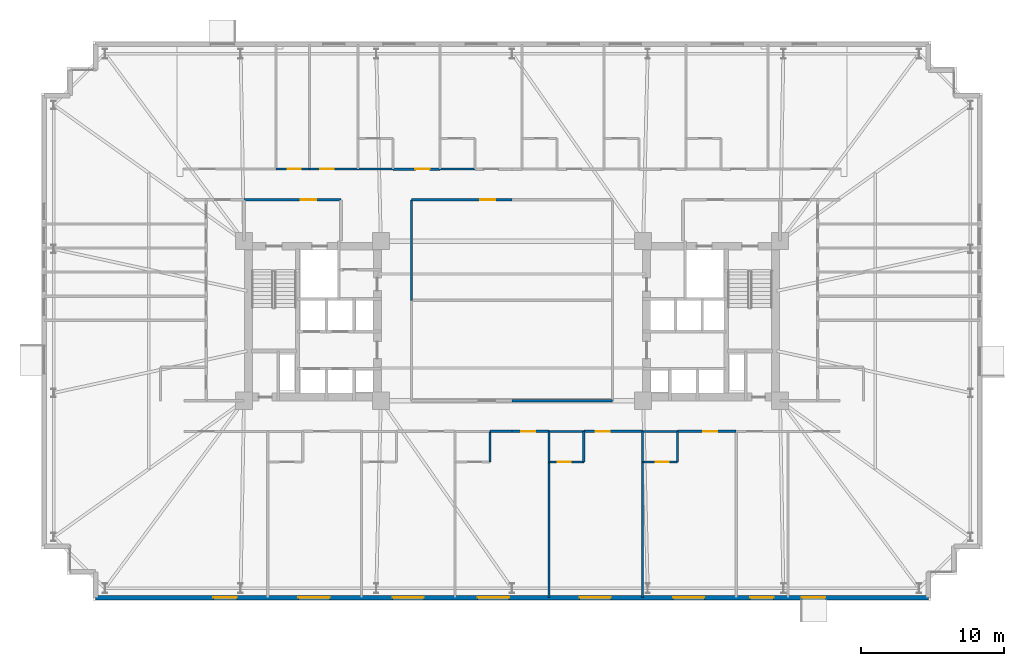
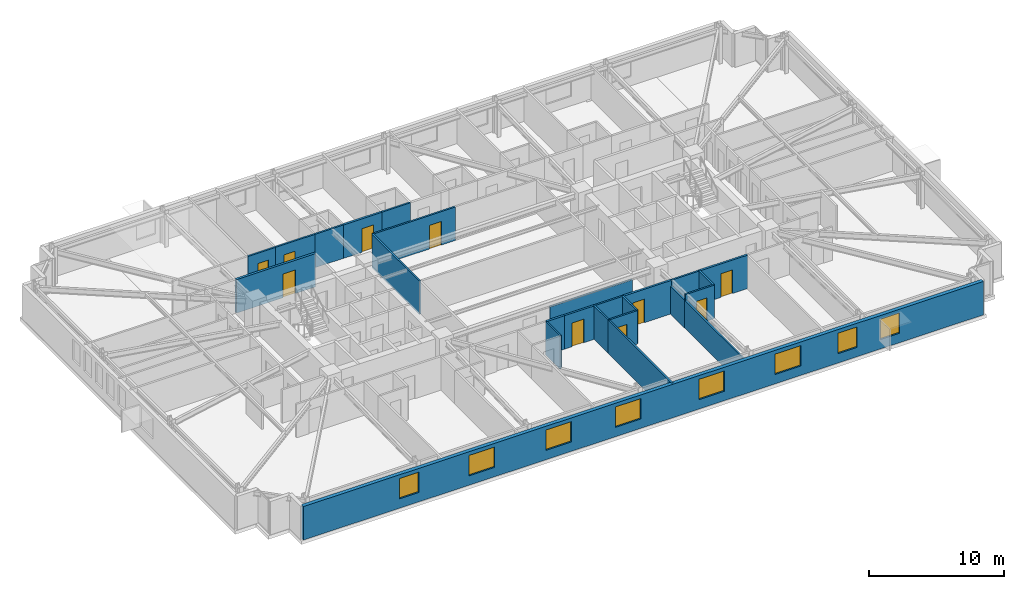
# One storey, part 16 of 22: 25 walls, 10 doors, 8 windows, 18 openings.
"""IFC4 building model written with IfcOpenShell, lengths in metres."""

from ifc_helpers import new_model, si_unit, direction, frame, frame_2d, origin, place, context, subcontext, project, spatial, rectangle, extrude, material, layer, layer_set, type_object, element, fill, save


model = new_model("IFC4")

# Units and contexts
model_context = context("Model", 3, precision=1e-05, world=origin(), true_north=direction((0.0, 1.0)))
body_context = subcontext(model_context, "Body", "Model", "MODEL_VIEW")
ifc_project = project(units=[si_unit("LENGTHUNIT", "METRE"), si_unit("AREAUNIT", "SQUARE_METRE"), si_unit("VOLUMEUNIT", "CUBIC_METRE"), si_unit("PLANEANGLEUNIT", "RADIAN"), si_unit("MASSUNIT", "GRAM", prefix="KILO")], contexts=[model_context])

# Site, building, storey
site_placement = place(None, origin())
site = spatial("IfcSite", under=ifc_project, at=site_placement, CompositionType="ELEMENT")
building_placement = place(site_placement, origin())
building = spatial("IfcBuilding", under=site, at=building_placement, Name="Qobustan Lattice House", CompositionType="ELEMENT")
storey_placement = place(building_placement, frame((0.0, 0.0, 60.5)))
storey = spatial("IfcBuildingStorey", under=building, at=storey_placement, Name="L16", CompositionType="ELEMENT", Elevation=60.5)

# Wall, openings, windows
ifc_material_1 = material(Name="Precast concrete C40/50", Category="concrete")
ifc_layer_1 = layer(ifc_material_1, 0.320068359375)
ifc_layer_set_1 = layer_set([ifc_layer_1], Name="Precast concrete C40/50")
wall_type_1 = type_object("IfcWallType", Name="WAL-EXT-STONE-320", PredefinedType="SOLIDWALL", material=ifc_layer_set_1)
wall_1_placement = place(storey_placement, frame((29.199951171875, -19.39990234375, 0.0), z_axis=(0.0, 0.0, 1.0), x_axis=(-1.0, 0.0, 0.0)))
wall_1 = element("IfcWall", 1, at=wall_1_placement, inside=storey, type_object=wall_type_1, Name="L16 exterior limestone-clad wall 20", PredefinedType="SOLIDWALL", context=body_context, shape_type="SweptSolid", body=[
    extrude(rectangle(XDim=58.39990234375, YDim=0.320068359375, at=frame_2d((29.199951171875, 0.0))), origin(), (0.0, 0.0, 1.0), 3.034912109375),
])
opening_1_placement = place(wall_1_placement, frame((7.215087890625, 0.0, 0.85009765625)))
opening_1 = element("IfcOpeningElement", 2, at=opening_1_placement, cuts=wall_1, Name="Opening WN-09", PredefinedType="OPENING", context=body_context, shape_type="SweptSolid", body=[
    extrude(rectangle(XDim=1.64990234375, YDim=1.85009765625, at=frame_2d((0.824951171875, 0.925048828125))), frame((0.0, 0.169921875, 0.0), z_axis=(0.0, -1.0, 0.0), x_axis=(1.0, 0.0, 0.0)), (0.0, 0.0, 1.0), 0.340087890625),
])
opening_2_placement = place(wall_1_placement, frame((10.85498046875, 0.0, 0.85009765625)))
opening_2 = element("IfcOpeningElement", 3, at=opening_2_placement, cuts=wall_1, Name="Opening WN-09", PredefinedType="OPENING", context=body_context, shape_type="SweptSolid", body=[
    extrude(rectangle(XDim=1.64990234375, YDim=1.85009765625, at=frame_2d((0.824951171875, 0.925048828125))), frame((0.0, 0.169921875, 0.0), z_axis=(0.0, -1.0, 0.0), x_axis=(1.0, 0.0, 0.0)), (0.0, 0.0, 1.0), 0.340087890625),
])
opening_3_placement = place(wall_1_placement, frame((15.699951171875, 0.0, 0.85009765625)))
opening_3 = element("IfcOpeningElement", 4, at=opening_3_placement, cuts=wall_1, Name="Opening WN-03", PredefinedType="OPENING", context=body_context, shape_type="SweptSolid", body=[
    extrude(rectangle(XDim=2.199951171875, YDim=1.85009765625, at=frame_2d((1.10009765625, 0.925048828125))), frame((0.0, 0.169921875, 0.0), z_axis=(0.0, -1.0, 0.0), x_axis=(1.0, 0.0, 0.0)), (0.0, 0.0, 1.0), 0.340087890625),
])
opening_4_placement = place(wall_1_placement, frame((22.260009765625, 0.0, 0.85009765625)))
opening_4 = element("IfcOpeningElement", 5, at=opening_4_placement, cuts=wall_1, Name="Opening WN-03", PredefinedType="OPENING", context=body_context, shape_type="SweptSolid", body=[
    extrude(rectangle(XDim=2.199951171875, YDim=1.85009765625, at=frame_2d((1.10009765625, 0.925048828125))), frame((0.0, 0.169921875, 0.0), z_axis=(0.0, -1.0, 0.0), x_axis=(1.0, 0.0, 0.0)), (0.0, 0.0, 1.0), 0.340087890625),
])
opening_5_placement = place(wall_1_placement, frame((29.407958984375, 0.0, 0.85009765625)))
opening_5 = element("IfcOpeningElement", 6, at=opening_5_placement, cuts=wall_1, Name="Opening WN-03", PredefinedType="OPENING", context=body_context, shape_type="SweptSolid", body=[
    extrude(rectangle(XDim=2.199951171875, YDim=1.85009765625, at=frame_2d((1.10009765625, 0.925048828125))), frame((0.0, 0.169921875, 0.0), z_axis=(0.0, -1.0, 0.0), x_axis=(1.0, 0.0, 0.0)), (0.0, 0.0, 1.0), 0.340087890625),
])
opening_6_placement = place(wall_1_placement, frame((35.3798828125, 0.0, 0.85009765625)))
opening_6 = element("IfcOpeningElement", 7, at=opening_6_placement, cuts=wall_1, Name="Opening WN-03", PredefinedType="OPENING", context=body_context, shape_type="SweptSolid", body=[
    extrude(rectangle(XDim=2.199951171875, YDim=1.85009765625, at=frame_2d((1.10009765625, 0.925048828125))), frame((0.0, 0.169921875, 0.0), z_axis=(0.0, -1.0, 0.0), x_axis=(1.0, 0.0, 0.0)), (0.0, 0.0, 1.0), 0.340087890625),
])
opening_7_placement = place(wall_1_placement, frame((41.97998046875, 0.0, 0.85009765625)))
opening_7 = element("IfcOpeningElement", 8, at=opening_7_placement, cuts=wall_1, Name="Opening WN-03", PredefinedType="OPENING", context=body_context, shape_type="SweptSolid", body=[
    extrude(rectangle(XDim=2.199951171875, YDim=1.85009765625, at=frame_2d((1.10009765625, 0.925048828125))), frame((0.0, 0.169921875, 0.0), z_axis=(0.0, -1.0, 0.0), x_axis=(1.0, 0.0, 0.0)), (0.0, 0.0, 1.0), 0.340087890625),
])
opening_8_placement = place(wall_1_placement, frame((48.4951171875, 0.0, 0.85009765625)))
opening_8 = element("IfcOpeningElement", 9, at=opening_8_placement, cuts=wall_1, Name="Opening WN-09", PredefinedType="OPENING", context=body_context, shape_type="SweptSolid", body=[
    extrude(rectangle(XDim=1.64990234375, YDim=1.85009765625, at=frame_2d((0.824951171875, 0.925048828125))), frame((0.0, 0.169921875, 0.0), z_axis=(0.0, -1.0, 0.0), x_axis=(1.0, 0.0, 0.0)), (0.0, 0.0, 1.0), 0.340087890625),
])
ifc_material_2 = material(Name="Double-glazed low-E aluminium window", Category="aluminium")
window_type_1 = type_object("IfcWindowType", Name="WIN-STU-1650x1850", PartitioningType="SINGLE_PANEL", PredefinedType="WINDOW", material=ifc_material_2)
window_1_placement = place(opening_1_placement, origin())
window_1 = element("IfcWindow", 10, at=window_1_placement, inside=storey, type_object=window_type_1, Name="L16 Academic seminar room window", OverallHeight=1.85009765625, OverallWidth=1.64990234375, PartitioningType="SINGLE_PANEL", PredefinedType="WINDOW", context=body_context, shape_type="SweptSolid", body=[
    extrude(rectangle(XDim=1.64990234375, YDim=1.85009765625, at=frame_2d((0.824951171875, 0.925048828125))), frame((0.0, 0.030029296875, 0.0), z_axis=(0.0, -1.0, 0.0), x_axis=(1.0, 0.0, 0.0)), (0.0, 0.0, 1.0), 0.06005859375),
])
fill(opening_1, window_1)
window_2_placement = place(opening_2_placement, origin())
window_2 = element("IfcWindow", 11, at=window_2_placement, inside=storey, type_object=window_type_1, Name="L16 Group study room window", OverallHeight=1.85009765625, OverallWidth=1.64990234375, PartitioningType="SINGLE_PANEL", PredefinedType="WINDOW", context=body_context, shape_type="SweptSolid", body=[
    extrude(rectangle(XDim=1.64990234375, YDim=1.85009765625, at=frame_2d((0.824951171875, 0.925048828125))), frame((0.0, 0.030029296875, 0.0), z_axis=(0.0, -1.0, 0.0), x_axis=(1.0, 0.0, 0.0)), (0.0, 0.0, 1.0), 0.06005859375),
])
fill(opening_2, window_2)
window_3_placement = place(opening_8_placement, origin())
window_3 = element("IfcWindow", 12, at=window_3_placement, inside=storey, type_object=window_type_1, Name="L16 Focus study room S1 window", OverallHeight=1.85009765625, OverallWidth=1.64990234375, PartitioningType="SINGLE_PANEL", PredefinedType="WINDOW", context=body_context, shape_type="SweptSolid", body=[
    extrude(rectangle(XDim=1.64990234375, YDim=1.85009765625, at=frame_2d((0.824951171875, 0.925048828125))), frame((0.0, 0.030029296875, 0.0), z_axis=(0.0, -1.0, 0.0), x_axis=(1.0, 0.0, 0.0)), (0.0, 0.0, 1.0), 0.06005859375),
])
fill(opening_8, window_3)
ifc_material_3 = material(Name="Double-glazed low-E aluminium window", Category="aluminium")
window_type_2 = type_object("IfcWindowType", Name="WIN-WIDE-2200x1850", PartitioningType="SINGLE_PANEL", PredefinedType="WINDOW", material=ifc_material_3)
window_4_placement = place(opening_3_placement, origin())
window_4 = element("IfcWindow", 13, at=window_4_placement, inside=storey, type_object=window_type_2, Name="L16 Kitchenette and studio apartment L16-S6 window", OverallHeight=1.85009765625, OverallWidth=2.199951171875, PartitioningType="SINGLE_PANEL", PredefinedType="WINDOW", context=body_context, shape_type="SweptSolid", body=[
    extrude(rectangle(XDim=2.199951171875, YDim=1.85009765625, at=frame_2d((1.10009765625, 0.925048828125))), frame((0.0, 0.030029296875, 0.0), z_axis=(0.0, -1.0, 0.0), x_axis=(1.0, 0.0, 0.0)), (0.0, 0.0, 1.0), 0.06005859375),
])
fill(opening_3, window_4)
window_5_placement = place(opening_4_placement, origin())
window_5 = element("IfcWindow", 14, at=window_5_placement, inside=storey, type_object=window_type_2, Name="L16 Kitchenette and studio apartment L16-S5 window", OverallHeight=1.85009765625, OverallWidth=2.199951171875, PartitioningType="SINGLE_PANEL", PredefinedType="WINDOW", context=body_context, shape_type="SweptSolid", body=[
    extrude(rectangle(XDim=2.199951171875, YDim=1.85009765625, at=frame_2d((1.10009765625, 0.925048828125))), frame((0.0, 0.030029296875, 0.0), z_axis=(0.0, -1.0, 0.0), x_axis=(1.0, 0.0, 0.0)), (0.0, 0.0, 1.0), 0.06005859375),
])
fill(opening_4, window_5)
window_6_placement = place(opening_5_placement, origin())
window_6 = element("IfcWindow", 15, at=window_6_placement, inside=storey, type_object=window_type_2, Name="L16 Kitchenette and studio apartment L16-S4 window", OverallHeight=1.85009765625, OverallWidth=2.199951171875, PartitioningType="SINGLE_PANEL", PredefinedType="WINDOW", context=body_context, shape_type="SweptSolid", body=[
    extrude(rectangle(XDim=2.199951171875, YDim=1.85009765625, at=frame_2d((1.10009765625, 0.925048828125))), frame((0.0, 0.030029296875, 0.0), z_axis=(0.0, -1.0, 0.0), x_axis=(1.0, 0.0, 0.0)), (0.0, 0.0, 1.0), 0.06005859375),
])
fill(opening_5, window_6)
window_7_placement = place(opening_6_placement, origin())
window_7 = element("IfcWindow", 16, at=window_7_placement, inside=storey, type_object=window_type_2, Name="L16 Kitchenette and studio apartment L16-S3 window", OverallHeight=1.85009765625, OverallWidth=2.199951171875, PartitioningType="SINGLE_PANEL", PredefinedType="WINDOW", context=body_context, shape_type="SweptSolid", body=[
    extrude(rectangle(XDim=2.199951171875, YDim=1.85009765625, at=frame_2d((1.10009765625, 0.925048828125))), frame((0.0, 0.030029296875, 0.0), z_axis=(0.0, -1.0, 0.0), x_axis=(1.0, 0.0, 0.0)), (0.0, 0.0, 1.0), 0.06005859375),
])
fill(opening_6, window_7)
window_8_placement = place(opening_7_placement, origin())
window_8 = element("IfcWindow", 17, at=window_8_placement, inside=storey, type_object=window_type_2, Name="L16 Kitchenette and studio apartment L16-S2 window", OverallHeight=1.85009765625, OverallWidth=2.199951171875, PartitioningType="SINGLE_PANEL", PredefinedType="WINDOW", context=body_context, shape_type="SweptSolid", body=[
    extrude(rectangle(XDim=2.199951171875, YDim=1.85009765625, at=frame_2d((1.10009765625, 0.925048828125))), frame((0.0, 0.030029296875, 0.0), z_axis=(0.0, -1.0, 0.0), x_axis=(1.0, 0.0, 0.0)), (0.0, 0.0, 1.0), 0.06005859375),
])
fill(opening_7, window_8)

# Wall, opening, door
ifc_material_4 = material(Name="Gypsum fireboard acoustic partition", Category="gypsum")
ifc_layer_2 = layer(ifc_material_4, 0.179931640625)
ifc_layer_set_2 = layer_set([ifc_layer_2], Name="Gypsum fireboard acoustic partition")
wall_type_2 = type_object("IfcWallType", Name="WAL-FIRE-180", PredefinedType="PARTITIONING", material=ifc_layer_set_2)
wall_2_placement = place(storey_placement, frame((-8.35009765625, 10.64990234375, 0.0), z_axis=(0.0, 0.0, 1.0), x_axis=(1.0, 0.0, 0.0)))
wall_2 = element("IfcWall", 18, at=wall_2_placement, inside=storey, type_object=wall_type_2, Name="L16 interior partition 42", PredefinedType="PARTITIONING", context=body_context, shape_type="SweptSolid", body=[
    extrude(rectangle(XDim=3.300048828125, YDim=0.179931640625, at=frame_2d((1.64990234375, 0.0))), origin(), (0.0, 0.0, 1.0), 3.034912109375),
])
opening_9_placement = place(wall_2_placement, frame((1.577392578125, 0.0, 0.0)))
opening_9 = element("IfcOpeningElement", 19, at=opening_9_placement, cuts=wall_2, Name="Opening FD-02", PredefinedType="OPENING", context=body_context, shape_type="SweptSolid", body=[
    extrude(rectangle(XDim=1.0, YDim=2.14990234375, at=frame_2d((0.5, 1.074951171875))), frame((0.0, 0.099853515625, 0.0), z_axis=(0.0, -1.0, 0.0), x_axis=(1.0, 0.0, 0.0)), (0.0, 0.0, 1.0), 0.199951171875),
])
ifc_material_5 = material(Name="Persian walnut timber and steel frame door", Category="steel")
door_type_1 = type_object("IfcDoorType", Name="DOR-UNIT-FD-1000x2150", OperationType="NOTDEFINED", PredefinedType="DOOR", material=ifc_material_5)
door_1_placement = place(opening_9_placement, origin())
door_1 = element("IfcDoor", 20, at=door_1_placement, inside=storey, type_object=door_type_1, Name="L16 North-west floor corridor to Kitchenette and studio apartment L16-N3 door", OperationType="SINGLE_SWING_LEFT", OverallHeight=2.14990234375, OverallWidth=1.0, PredefinedType="DOOR", context=body_context, shape_type="SweptSolid", body=[
    extrude(rectangle(XDim=1.0, YDim=2.14990234375, at=frame_2d((0.5, 1.074951171875))), frame((0.0, 0.02490234375, 0.0), z_axis=(0.0, -1.0, 0.0), x_axis=(1.0, 0.0, 0.0)), (0.0, 0.0, 1.0), 0.050048828125),
])
fill(opening_9, door_1)

# Wall
wall_3_placement = place(storey_placement, frame((0.0, -7.75, 0.0), z_axis=(0.0, 0.0, 1.0), x_axis=(-1.0, 0.0, 0.0)))
element("IfcWall", 21, at=wall_3_placement, inside=storey, type_object=wall_type_2, Name="L16 interior partition 65", PredefinedType="PARTITIONING", context=body_context, shape_type="SweptSolid", body=[
    extrude(rectangle(XDim=1.535888671875, YDim=0.179931640625, at=frame_2d((0.76806640625, 0.0))), origin(), (0.0, 0.0, 1.0), 3.034912109375),
])

# Wall, opening, door
wall_4_placement = place(storey_placement, frame((2.5859375, -7.75, 0.0), z_axis=(0.0, 0.0, 1.0), x_axis=(-1.0, 0.0, 0.0)))
wall_4 = element("IfcWall", 22, at=wall_4_placement, inside=storey, type_object=wall_type_2, Name="L16 interior partition 70", PredefinedType="PARTITIONING", context=body_context, shape_type="SweptSolid", body=[
    extrude(rectangle(XDim=2.5859375, YDim=0.179931640625, at=frame_2d((1.29296875, 0.0))), origin(), (0.0, 0.0, 1.0), 3.034912109375),
])
opening_10_placement = place(wall_4_placement, frame((0.95263671875, 0.0, 0.0)))
opening_10 = element("IfcOpeningElement", 23, at=opening_10_placement, cuts=wall_4, Name="Opening FD-02", PredefinedType="OPENING", context=body_context, shape_type="SweptSolid", body=[
    extrude(rectangle(XDim=1.0, YDim=2.14990234375, at=frame_2d((0.5, 1.074951171875))), frame((0.0, 0.099853515625, 0.0), z_axis=(0.0, -1.0, 0.0), x_axis=(1.0, 0.0, 0.0)), (0.0, 0.0, 1.0), 0.199951171875),
])
door_2_placement = place(opening_10_placement, origin())
door_2 = element("IfcDoor", 24, at=door_2_placement, inside=storey, type_object=door_type_1, Name="L16 South-east floor corridor to Kitchenette and studio apartment L16-S4 door", OperationType="SINGLE_SWING_LEFT", OverallHeight=2.14990234375, OverallWidth=1.0, PredefinedType="DOOR", context=body_context, shape_type="SweptSolid", body=[
    extrude(rectangle(XDim=1.0, YDim=2.14990234375, at=frame_2d((0.5, 1.074951171875))), frame((0.0, 0.02490234375, 0.0), z_axis=(0.0, -1.0, 0.0), x_axis=(1.0, 0.0, 0.0)), (0.0, 0.0, 1.0), 0.050048828125),
])
fill(opening_10, door_2)

wall_5_placement = place(storey_placement, frame((9.156982421875, -7.75, 0.0), z_axis=(0.0, 0.0, 1.0), x_axis=(-1.0, 0.0, 0.0)))
wall_5 = element("IfcWall", 25, at=wall_5_placement, inside=storey, type_object=wall_type_2, Name="L16 interior partition 71", PredefinedType="PARTITIONING", context=body_context, shape_type="SweptSolid", body=[
    extrude(rectangle(XDim=4.12109375, YDim=0.179931640625, at=frame_2d((2.060546875, 0.0))), origin(), (0.0, 0.0, 1.0), 3.034912109375),
])
opening_11_placement = place(wall_5_placement, frame((2.2958984375, 0.0, 0.0)))
opening_11 = element("IfcOpeningElement", 26, at=opening_11_placement, cuts=wall_5, Name="Opening FD-02", PredefinedType="OPENING", context=body_context, shape_type="SweptSolid", body=[
    extrude(rectangle(XDim=1.0, YDim=2.14990234375, at=frame_2d((0.5, 1.074951171875))), frame((0.0, 0.099853515625, 0.0), z_axis=(0.0, -1.0, 0.0), x_axis=(1.0, 0.0, 0.0)), (0.0, 0.0, 1.0), 0.199951171875),
])
door_3_placement = place(opening_11_placement, origin())
door_3 = element("IfcDoor", 27, at=door_3_placement, inside=storey, type_object=door_type_1, Name="L16 South-east floor corridor to Kitchenette and studio apartment L16-S5 door", OperationType="SINGLE_SWING_RIGHT", OverallHeight=2.14990234375, OverallWidth=1.0, PredefinedType="DOOR", context=body_context, shape_type="SweptSolid", body=[
    extrude(rectangle(XDim=1.0, YDim=2.14990234375, at=frame_2d((0.5, 1.074951171875))), frame((0.0, 0.02490234375, 0.0), z_axis=(0.0, -1.0, 0.0), x_axis=(1.0, 0.0, 0.0)), (0.0, 0.0, 1.0), 0.050048828125),
])
fill(opening_11, door_3)

wall_6_placement = place(storey_placement, frame((15.72900390625, -7.75, 0.0), z_axis=(0.0, 0.0, 1.0), x_axis=(-1.0, 0.0, 0.0)))
wall_6 = element("IfcWall", 28, at=wall_6_placement, inside=storey, type_object=wall_type_2, Name="L16 interior partition 73", PredefinedType="PARTITIONING", context=body_context, shape_type="SweptSolid", body=[
    extrude(rectangle(XDim=4.1220703125, YDim=0.179931640625, at=frame_2d((2.06103515625, 0.0))), origin(), (0.0, 0.0, 1.0), 3.034912109375),
])
opening_12_placement = place(wall_6_placement, frame((1.315673828125, 0.0, 0.0)))
opening_12 = element("IfcOpeningElement", 29, at=opening_12_placement, cuts=wall_6, Name="Opening FD-02", PredefinedType="OPENING", context=body_context, shape_type="SweptSolid", body=[
    extrude(rectangle(XDim=1.0, YDim=2.14990234375, at=frame_2d((0.5, 1.074951171875))), frame((0.0, 0.099853515625, 0.0), z_axis=(0.0, -1.0, 0.0), x_axis=(1.0, 0.0, 0.0)), (0.0, 0.0, 1.0), 0.199951171875),
])
door_4_placement = place(opening_12_placement, origin())
door_4 = element("IfcDoor", 30, at=door_4_placement, inside=storey, type_object=door_type_1, Name="L16 South-east floor corridor to Kitchenette and studio apartment L16-S6 door", OperationType="SINGLE_SWING_LEFT", OverallHeight=2.14990234375, OverallWidth=1.0, PredefinedType="DOOR", context=body_context, shape_type="SweptSolid", body=[
    extrude(rectangle(XDim=1.0, YDim=2.14990234375, at=frame_2d((0.5, 1.074951171875))), frame((0.0, 0.02490234375, 0.0), z_axis=(0.0, -1.0, 0.0), x_axis=(1.0, 0.0, 0.0)), (0.0, 0.0, 1.0), 0.050048828125),
])
fill(opening_12, door_4)

ifc_material_6 = material(Name="Acoustic twin-stud gypsum partition", Category="gypsum")
ifc_layer_3 = layer(ifc_material_6, 0.14990234375)
ifc_layer_set_3 = layer_set([ifc_layer_3], Name="Acoustic twin-stud gypsum partition")
wall_type_3 = type_object("IfcWallType", Name="WAL-PART-150", PredefinedType="PARTITIONING", material=ifc_layer_set_3)
wall_7_placement = place(storey_placement, frame((-14.199951171875, 10.64990234375, 0.0), z_axis=(0.0, 0.0, 1.0), x_axis=(1.0, 0.0, 0.0)))
wall_7 = element("IfcWall", 31, at=wall_7_placement, inside=storey, type_object=wall_type_3, Name="L16 interior partition 41", PredefinedType="PARTITIONING", context=body_context, shape_type="SweptSolid", body=[
    extrude(rectangle(XDim=3.39990234375, YDim=0.14990234375, at=frame_2d((1.699951171875, 0.0))), origin(), (0.0, 0.0, 1.0), 3.034912109375),
])
opening_13_placement = place(wall_7_placement, frame((0.7412109375, 0.0, 0.0)))
opening_13 = element("IfcOpeningElement", 32, at=opening_13_placement, cuts=wall_7, Name="Opening ID-01", PredefinedType="OPENING", context=body_context, shape_type="SweptSolid", body=[
    extrude(rectangle(XDim=0.949951171875, YDim=2.10009765625, at=frame_2d((0.47509765625, 1.050048828125))), frame((0.0, 0.0849609375, 0.0), z_axis=(0.0, -1.0, 0.0), x_axis=(1.0, 0.0, 0.0)), (0.0, 0.0, 1.0), 0.169921875),
])
ifc_material_7 = material(Name="Persian walnut timber and steel frame door", Category="steel")
door_type_2 = type_object("IfcDoorType", Name="DOR-ROOM-950x2100", OperationType="NOTDEFINED", PredefinedType="DOOR", material=ifc_material_7)
door_5_placement = place(opening_13_placement, origin())
door_5 = element("IfcDoor", 33, at=door_5_placement, inside=storey, type_object=door_type_2, Name="L16 North-west floor corridor to Laundry utility room door", OperationType="SINGLE_SWING_RIGHT", OverallHeight=2.10009765625, OverallWidth=0.949951171875, PredefinedType="DOOR", context=body_context, shape_type="SweptSolid", body=[
    extrude(rectangle(XDim=0.949951171875, YDim=2.10009765625, at=frame_2d((0.47509765625, 1.050048828125))), frame((0.0, 0.02490234375, 0.0), z_axis=(0.0, -1.0, 0.0), x_axis=(1.0, 0.0, 0.0)), (0.0, 0.0, 1.0), 0.050048828125),
])
fill(opening_13, door_5)

wall_8_placement = place(storey_placement, frame((0.0, 8.5, 0.0), z_axis=(0.0, 0.0, 1.0), x_axis=(-1.0, 0.0, 0.0)))
wall_8 = element("IfcWall", 34, at=wall_8_placement, inside=storey, type_object=wall_type_3, Name="L16 interior partition 46", PredefinedType="PARTITIONING", context=body_context, shape_type="SweptSolid", body=[
    extrude(rectangle(XDim=7.050048828125, YDim=0.14990234375, at=frame_2d((3.52490234375, 0.0))), origin(), (0.0, 0.0, 1.0), 3.034912109375),
])
opening_14_placement = place(wall_8_placement, frame((1.18505859375, 0.0, 0.0)))
opening_14 = element("IfcOpeningElement", 35, at=opening_14_placement, cuts=wall_8, Name="Opening ID-02", PredefinedType="OPENING", context=body_context, shape_type="SweptSolid", body=[
    extrude(rectangle(XDim=1.050048828125, YDim=2.14990234375, at=frame_2d((0.52490234375, 1.074951171875))), frame((0.0, 0.0849609375, 0.0), z_axis=(0.0, -1.0, 0.0), x_axis=(1.0, 0.0, 0.0)), (0.0, 0.0, 1.0), 0.169921875),
])
ifc_material_8 = material(Name="Persian walnut timber and steel frame door", Category="steel")
door_type_3 = type_object("IfcDoorType", Name="DOR-STUDY-1050x2150", OperationType="NOTDEFINED", PredefinedType="DOOR", material=ifc_material_8)
door_6_placement = place(opening_14_placement, origin())
door_6 = element("IfcDoor", 36, at=door_6_placement, inside=storey, type_object=door_type_3, Name="L16 North-west floor corridor to Central collaborative study room door", OperationType="SINGLE_SWING_LEFT", OverallHeight=2.14990234375, OverallWidth=1.050048828125, PredefinedType="DOOR", context=body_context, shape_type="SweptSolid", body=[
    extrude(rectangle(XDim=1.050048828125, YDim=2.14990234375, at=frame_2d((0.52490234375, 1.074951171875))), frame((0.0, 0.02490234375, 0.0), z_axis=(0.0, -1.0, 0.0), x_axis=(1.0, 0.0, 0.0)), (0.0, 0.0, 1.0), 0.050048828125),
])
fill(opening_14, door_6)

# Walls
wall_9_placement = place(storey_placement, frame((-7.050048828125, 8.5, 0.0), z_axis=(0.0, 0.0, 1.0), x_axis=(0.0, -1.0, 0.0)))
element("IfcWall", 37, at=wall_9_placement, inside=storey, type_object=wall_type_3, Name="L16 interior partition 79", PredefinedType="PARTITIONING", context=body_context, shape_type="SweptSolid", body=[
    extrude(rectangle(XDim=7.050048828125, YDim=0.14990234375, at=frame_2d((3.52490234375, 0.0))), origin(), (0.0, 0.0, 1.0), 3.034912109375),
])
wall_10_placement = place(storey_placement, frame((2.5859375, -9.89990234375, 0.0), z_axis=(0.0, 0.0, 1.0), x_axis=(0.0, -1.0, 0.0)))
element("IfcWall", 38, at=wall_10_placement, inside=storey, type_object=wall_type_3, Name="L16 interior partition 145", PredefinedType="PARTITIONING", context=body_context, shape_type="SweptSolid", body=[
    extrude(rectangle(XDim=9.5, YDim=0.14990234375, at=frame_2d((4.75, 0.0))), origin(), (0.0, 0.0, 1.0), 3.034912109375),
])
wall_11_placement = place(storey_placement, frame((9.156982421875, -9.89990234375, 0.0), z_axis=(0.0, 0.0, 1.0), x_axis=(0.0, -1.0, 0.0)))
element("IfcWall", 39, at=wall_11_placement, inside=storey, type_object=wall_type_3, Name="L16 interior partition 149", PredefinedType="PARTITIONING", context=body_context, shape_type="SweptSolid", body=[
    extrude(rectangle(XDim=9.5, YDim=0.14990234375, at=frame_2d((4.75, 0.0))), origin(), (0.0, 0.0, 1.0), 2.52001953125),
])
ifc_material_9 = material(Name="High-mass acoustic twin-stud partition", Category="gypsum")
ifc_layer_4 = layer(ifc_material_9, 0.1650390625)
ifc_layer_set_4 = layer_set([ifc_layer_4], Name="High-mass acoustic twin-stud partition")
wall_type_4 = type_object("IfcWallType", Name="WAL-PART-165", PredefinedType="PARTITIONING", material=ifc_layer_set_4)
wall_12_placement = place(storey_placement, frame((0.0, -5.60009765625, 0.0), z_axis=(0.0, 0.0, 1.0), x_axis=(1.0, 0.0, 0.0)))
element("IfcWall", 40, at=wall_12_placement, inside=storey, type_object=wall_type_4, Name="L16 interior partition 77", PredefinedType="PARTITIONING", context=body_context, shape_type="SweptSolid", body=[
    extrude(rectangle(XDim=7.050048828125, YDim=0.1650390625, at=frame_2d((3.52490234375, 0.0))), origin(), (0.0, 0.0, 1.0), 2.52001953125),
])

# Wall, opening, door
ifc_material_10 = material(Name="Two-hour gypsum fireboard acoustic partition", Category="gypsum")
ifc_layer_5 = layer(ifc_material_10, 0.199951171875)
ifc_layer_set_5 = layer_set([ifc_layer_5], Name="Two-hour gypsum fireboard acoustic partition")
wall_type_5 = type_object("IfcWallType", Name="WAL-PROT-200", PredefinedType="PARTITIONING", material=ifc_layer_set_5)
wall_13_placement = place(storey_placement, frame((-12.0, 8.5, 0.0), z_axis=(0.0, 0.0, 1.0), x_axis=(-1.0, 0.0, 0.0)))
wall_13 = element("IfcWall", 41, at=wall_13_placement, inside=storey, type_object=wall_type_5, Name="L16 interior partition 4", PredefinedType="PARTITIONING", context=body_context, shape_type="SweptSolid", body=[
    extrude(rectangle(XDim=6.800048828125, YDim=0.199951171875, at=frame_2d((3.39990234375, 0.0))), origin(), (0.0, 0.0, 1.0), 3.034912109375),
])
opening_15_placement = place(wall_13_placement, frame((1.715087890625, 0.0, 0.0)))
opening_15 = element("IfcOpeningElement", 42, at=opening_15_placement, cuts=wall_13, Name="Opening SD-01", PredefinedType="OPENING", context=body_context, shape_type="SweptSolid", body=[
    extrude(rectangle(XDim=1.10009765625, YDim=2.14990234375, at=frame_2d((0.550048828125, 1.074951171875))), frame((0.0, 0.10986328125, 0.0), z_axis=(0.0, -1.0, 0.0), x_axis=(1.0, 0.0, 0.0)), (0.0, 0.0, 1.0), 0.219970703125),
])
ifc_material_11 = material(Name="Persian walnut timber and steel frame door", Category="steel")
door_type_4 = type_object("IfcDoorType", Name="DOR-STAIR-FD-1100x2150", OperationType="NOTDEFINED", PredefinedType="DOOR", material=ifc_material_11)
door_7_placement = place(opening_15_placement, origin())
door_7 = element("IfcDoor", 43, at=door_7_placement, inside=storey, type_object=door_type_4, Name="L16 West firefighting lift lobby to North-west floor corridor door", OperationType="SINGLE_SWING_RIGHT", OverallHeight=2.14990234375, OverallWidth=1.10009765625, PredefinedType="DOOR", context=body_context, shape_type="SweptSolid", body=[
    extrude(rectangle(XDim=1.10009765625, YDim=2.14990234375, at=frame_2d((0.550048828125, 1.074951171875))), frame((0.0, 0.02490234375, 0.0), z_axis=(0.0, -1.0, 0.0), x_axis=(1.0, 0.0, 0.0)), (0.0, 0.0, 1.0), 0.050048828125),
])
fill(opening_15, door_7)

ifc_material_12 = material(Name="Moisture-resistant acoustic plumbing wall", Category="gypsum")
ifc_layer_6 = layer(ifc_material_12, 0.14990234375)
ifc_layer_set_6 = layer_set([ifc_layer_6], Name="Moisture-resistant acoustic plumbing wall")
wall_type_6 = type_object("IfcWallType", Name="WAL-WET-150", PredefinedType="PLUMBINGWALL", material=ifc_layer_set_6)
wall_14_placement = place(storey_placement, frame((-16.550048828125, 10.64990234375, 0.0), z_axis=(0.0, 0.0, 1.0), x_axis=(1.0, 0.0, 0.0)))
wall_14 = element("IfcWall", 44, at=wall_14_placement, inside=storey, type_object=wall_type_6, Name="L16 interior partition 40", PredefinedType="PLUMBINGWALL", context=body_context, shape_type="SweptSolid", body=[
    extrude(rectangle(XDim=2.35009765625, YDim=0.14990234375, at=frame_2d((1.175048828125, 0.0))), origin(), (0.0, 0.0, 1.0), 3.034912109375),
])
opening_16_placement = place(wall_14_placement, frame((0.833740234375, 0.0, 0.0)))
opening_16 = element("IfcOpeningElement", 45, at=opening_16_placement, cuts=wall_14, Name="Opening WD-01", PredefinedType="OPENING", context=body_context, shape_type="SweptSolid", body=[
    extrude(rectangle(XDim=0.89990234375, YDim=2.10009765625, at=frame_2d((0.449951171875, 1.050048828125))), frame((0.0, 0.0849609375, 0.0), z_axis=(0.0, -1.0, 0.0), x_axis=(1.0, 0.0, 0.0)), (0.0, 0.0, 1.0), 0.169921875),
])
ifc_material_13 = material(Name="Persian walnut timber and steel frame door", Category="steel")
door_type_5 = type_object("IfcDoorType", Name="DOR-WET-900x2100", OperationType="NOTDEFINED", PredefinedType="DOOR", material=ifc_material_13)
door_8_placement = place(opening_16_placement, origin())
door_8 = element("IfcDoor", 46, at=door_8_placement, inside=storey, type_object=door_type_5, Name="L16 North-west floor corridor to Accessible WC door", OperationType="SINGLE_SWING_LEFT", OverallHeight=2.10009765625, OverallWidth=0.89990234375, PredefinedType="DOOR", context=body_context, shape_type="SweptSolid", body=[
    extrude(rectangle(XDim=0.89990234375, YDim=2.10009765625, at=frame_2d((0.449951171875, 1.050048828125))), frame((0.0, 0.02490234375, 0.0), z_axis=(0.0, -1.0, 0.0), x_axis=(1.0, 0.0, 0.0)), (0.0, 0.0, 1.0), 0.050048828125),
])
fill(opening_16, door_8)

# Walls
for number, where, z_axis, x_axis, name in (
    (47, (-10.800048828125, 10.64990234375, 0.0), (0.0, 0.0, 1.0), (1.0, 0.0, 0.0), "L16 interior partition 43"),
    (48, (-5.050048828125, 10.64990234375, 0.0), (0.0, 0.0, 1.0), (1.0, 0.0, 0.0), "L16 interior partition 45"),
    (49, (5.035888671875, -7.75, 0.0), (0.0, 0.0, 1.0), (-1.0, 0.0, 0.0), "L16 interior partition 72"),
    (50, (11.60693359375, -7.75, 0.0), (0.0, 0.0, 1.0), (-1.0, 0.0, 0.0), "L16 interior partition 74"),
):
    element("IfcWall", number, at=place(storey_placement, frame(where, z_axis=z_axis, x_axis=x_axis)), inside=storey, type_object=wall_type_6, Name=name, PredefinedType="PLUMBINGWALL", context=body_context, shape_type="SweptSolid", body=[
        extrude(rectangle(XDim=2.449951171875, YDim=0.14990234375, at=frame_2d((1.22509765625, 0.0))), origin(), (0.0, 0.0, 1.0), 3.034912109375),
    ])
for number, where, z_axis, x_axis, name in (
    (51, (-1.535888671875, -9.89990234375, 0.0), (0.0, 0.0, 1.0), (0.0, 1.0, 0.0), "L16 interior partition 144"),
    (52, (2.5859375, -7.75, 0.0), (0.0, 0.0, 1.0), (0.0, -1.0, 0.0), "L16 interior partition 146"),
):
    element("IfcWall", number, at=place(storey_placement, frame(where, z_axis=z_axis, x_axis=x_axis)), inside=storey, type_object=wall_type_6, Name=name, PredefinedType="PLUMBINGWALL", context=body_context, shape_type="SweptSolid", body=[
        extrude(rectangle(XDim=2.14990234375, YDim=0.14990234375, at=frame_2d((1.074951171875, 0.0))), origin(), (0.0, 0.0, 1.0), 3.034912109375),
    ])

# Wall, opening, door
wall_15_placement = place(storey_placement, frame((2.5859375, -9.89990234375, 0.0), z_axis=(0.0, 0.0, 1.0), x_axis=(1.0, 0.0, 0.0)))
wall_15 = element("IfcWall", 53, at=wall_15_placement, inside=storey, type_object=wall_type_6, Name="L16 interior partition 147", PredefinedType="PLUMBINGWALL", context=body_context, shape_type="SweptSolid", body=[
    extrude(rectangle(XDim=2.449951171875, YDim=0.14990234375, at=frame_2d((1.22509765625, 0.0))), origin(), (0.0, 0.0, 1.0), 3.034912109375),
])
opening_17_placement = place(wall_15_placement, frame((0.628662109375, 0.0, 0.0)))
opening_17 = element("IfcOpeningElement", 54, at=opening_17_placement, cuts=wall_15, Name="Opening WD-01", PredefinedType="OPENING", context=body_context, shape_type="SweptSolid", body=[
    extrude(rectangle(XDim=0.89990234375, YDim=2.10009765625, at=frame_2d((0.449951171875, 1.050048828125))), frame((0.0, 0.0849609375, 0.0), z_axis=(0.0, -1.0, 0.0), x_axis=(1.0, 0.0, 0.0)), (0.0, 0.0, 1.0), 0.169921875),
])
door_9_placement = place(opening_17_placement, origin())
door_9 = element("IfcDoor", 55, at=door_9_placement, inside=storey, type_object=door_type_5, Name="L16 Kitchenette and studio apartment L16-S5 to En-suite bathroom L16-S5 door", OperationType="SINGLE_SWING_RIGHT", OverallHeight=2.10009765625, OverallWidth=0.89990234375, PredefinedType="DOOR", context=body_context, shape_type="SweptSolid", body=[
    extrude(rectangle(XDim=0.89990234375, YDim=2.10009765625, at=frame_2d((0.449951171875, 1.050048828125))), frame((0.0, 0.02490234375, 0.0), z_axis=(0.0, -1.0, 0.0), x_axis=(1.0, 0.0, 0.0)), (0.0, 0.0, 1.0), 0.050048828125),
])
fill(opening_17, door_9)

# Walls
wall_16_placement = place(storey_placement, frame((5.035888671875, -9.89990234375, 0.0), z_axis=(0.0, 0.0, 1.0), x_axis=(0.0, 1.0, 0.0)))
element("IfcWall", 56, at=wall_16_placement, inside=storey, type_object=wall_type_6, Name="L16 interior partition 148", PredefinedType="PLUMBINGWALL", context=body_context, shape_type="SweptSolid", body=[
    extrude(rectangle(XDim=2.14990234375, YDim=0.14990234375, at=frame_2d((1.074951171875, 0.0))), origin(), (0.0, 0.0, 1.0), 3.034912109375),
])
wall_17_placement = place(storey_placement, frame((9.156982421875, -7.75, 0.0), z_axis=(0.0, 0.0, 1.0), x_axis=(0.0, -1.0, 0.0)))
element("IfcWall", 57, at=wall_17_placement, inside=storey, type_object=wall_type_6, Name="L16 interior partition 150", PredefinedType="PLUMBINGWALL", context=body_context, shape_type="SweptSolid", body=[
    extrude(rectangle(XDim=2.14990234375, YDim=0.14990234375, at=frame_2d((1.074951171875, 0.0))), origin(), (0.0, 0.0, 1.0), 2.52001953125),
])

# Wall, opening, door
wall_18_placement = place(storey_placement, frame((9.156982421875, -9.89990234375, 0.0), z_axis=(0.0, 0.0, 1.0), x_axis=(1.0, 0.0, 0.0)))
wall_18 = element("IfcWall", 58, at=wall_18_placement, inside=storey, type_object=wall_type_6, Name="L16 interior partition 151", PredefinedType="PLUMBINGWALL", context=body_context, shape_type="SweptSolid", body=[
    extrude(rectangle(XDim=2.449951171875, YDim=0.14990234375, at=frame_2d((1.22509765625, 0.0))), origin(), (0.0, 0.0, 1.0), 3.034912109375),
])
opening_18_placement = place(wall_18_placement, frame((0.921142578125, 0.0, 0.0)))
opening_18 = element("IfcOpeningElement", 59, at=opening_18_placement, cuts=wall_18, Name="Opening WD-01", PredefinedType="OPENING", context=body_context, shape_type="SweptSolid", body=[
    extrude(rectangle(XDim=0.89990234375, YDim=2.10009765625, at=frame_2d((0.449951171875, 1.050048828125))), frame((0.0, 0.0849609375, 0.0), z_axis=(0.0, -1.0, 0.0), x_axis=(1.0, 0.0, 0.0)), (0.0, 0.0, 1.0), 0.169921875),
])
door_10_placement = place(opening_18_placement, origin())
door_10 = element("IfcDoor", 60, at=door_10_placement, inside=storey, type_object=door_type_5, Name="L16 Kitchenette and studio apartment L16-S6 to En-suite bathroom L16-S6 door", OperationType="SINGLE_SWING_LEFT", OverallHeight=2.10009765625, OverallWidth=0.89990234375, PredefinedType="DOOR", context=body_context, shape_type="SweptSolid", body=[
    extrude(rectangle(XDim=0.89990234375, YDim=2.10009765625, at=frame_2d((0.449951171875, 1.050048828125))), frame((0.0, 0.02490234375, 0.0), z_axis=(0.0, -1.0, 0.0), x_axis=(1.0, 0.0, 0.0)), (0.0, 0.0, 1.0), 0.050048828125),
])
fill(opening_18, door_10)

# Wall
wall_19_placement = place(storey_placement, frame((11.60693359375, -9.89990234375, 0.0), z_axis=(0.0, 0.0, 1.0), x_axis=(0.0, 1.0, 0.0)))
element("IfcWall", 61, at=wall_19_placement, inside=storey, type_object=wall_type_6, Name="L16 interior partition 152", PredefinedType="PLUMBINGWALL", context=body_context, shape_type="SweptSolid", body=[
    extrude(rectangle(XDim=2.14990234375, YDim=0.14990234375, at=frame_2d((1.074951171875, 0.0))), origin(), (0.0, 0.0, 1.0), 3.034912109375),
])

save(model, "model.ifc")
